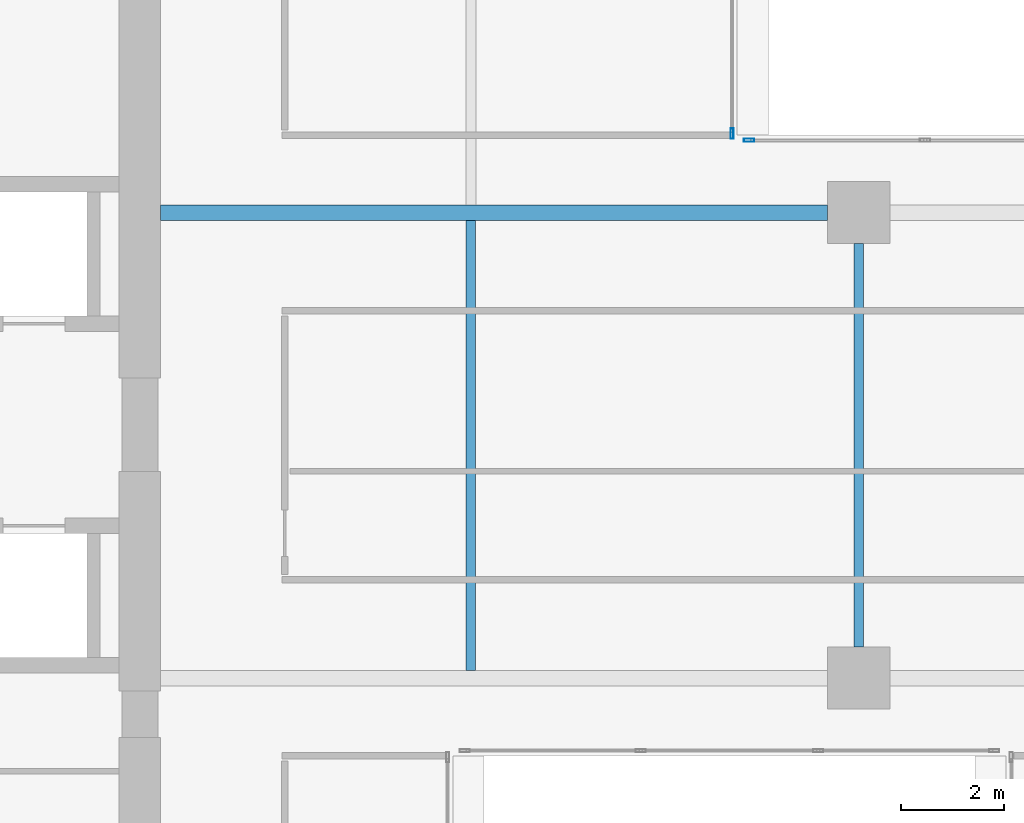
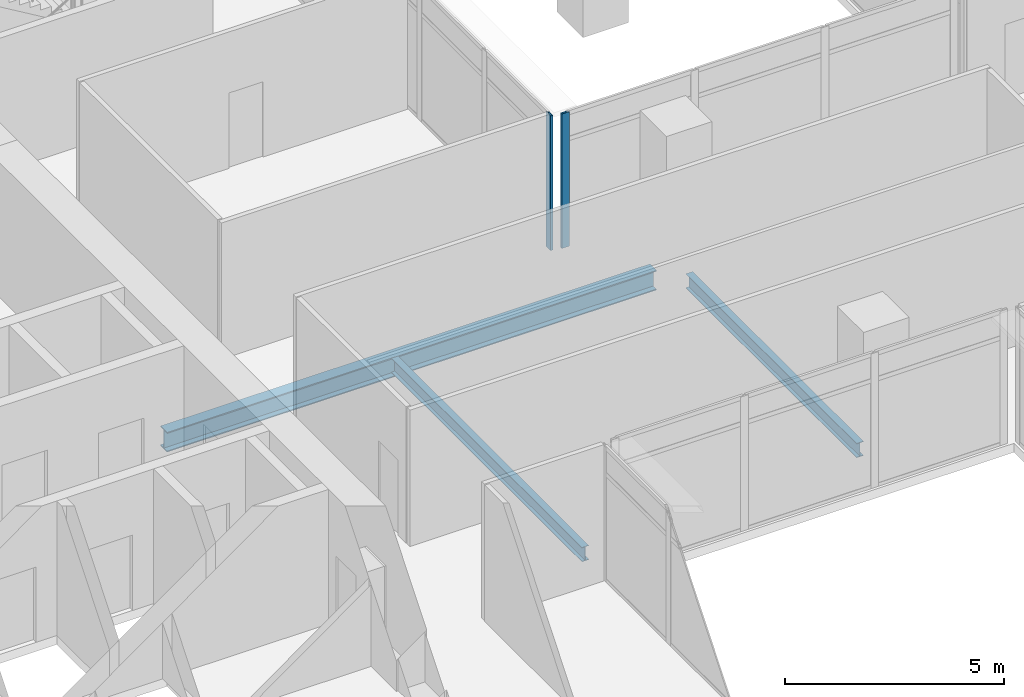
# One storey, part 8 of 38: 3 beams, 2 members, 2 elements without a shape of their own.
"""IFC4 building model written with IfcOpenShell, lengths in metres."""

from ifc_helpers import new_model, si_unit, direction, frame, origin, origin_2d, place, context, subcontext, project, spatial, hollow_rectangle, i_section, extrude, source, transform, mapped, material, material_profile, profile_set, type_object, element, aggregate, save


model = new_model("IFC4")

# Units and contexts
model_context = context("Model", 3, precision=1e-05, world=origin(), true_north=direction((0.0, 1.0)))
body_context = subcontext(model_context, "Body", "Model", "MODEL_VIEW")
ifc_project = project(units=[si_unit("LENGTHUNIT", "METRE"), si_unit("AREAUNIT", "SQUARE_METRE"), si_unit("VOLUMEUNIT", "CUBIC_METRE"), si_unit("PLANEANGLEUNIT", "RADIAN"), si_unit("MASSUNIT", "GRAM", prefix="KILO")], contexts=[model_context])

# Site, building, storey
site_placement = place(None, origin())
site = spatial("IfcSite", under=ifc_project, at=site_placement, CompositionType="ELEMENT")
building_placement = place(site_placement, origin())
building = spatial("IfcBuilding", under=site, at=building_placement, Name="Khomas Fold Tower", CompositionType="ELEMENT")
storey_placement = place(building_placement, frame((0.0, 0.0, 172.699951171875)))
storey = spatial("IfcBuildingStorey", under=building, at=storey_placement, Name="L37", CompositionType="ELEMENT", Elevation=172.699951171875)

# Beams
ifc_material_1 = material(Name="Steel S355", Category="steel")
ifc_material_profile_1 = material_profile(ifc_material_1, i_section(OverallWidth=0.179931640625, OverallDepth=0.39990234375, WebThickness=0.008544921875, FlangeThickness=0.013427734375, at=origin_2d()), Name="IPE 400")
ifc_profile_set_1 = profile_set([ifc_material_profile_1], Name="Steel S355")
beam_type_1 = type_object("IfcBeamType", Name="IPE 400 beam JB3", PredefinedType="BEAM", material=ifc_profile_set_1)
shared_shape_1 = source(origin(), body_context, "Body", "SweptSolid", [
    extrude(i_section(OverallWidth=0.179931640625, OverallDepth=0.39990234375, WebThickness=0.008544921875, FlangeThickness=0.013427734375, at=origin_2d()), origin(), (0.0, 0.0, 1.0), 8.7001953125),
])
beam_1_placement = place(storey_placement, frame((27.0, 22.64990234375, -0.449951171875), z_axis=(0.0, 1.0, 0.0), x_axis=(-1.0, 0.0, 0.0)))
element("IfcBeam", 1, at=beam_1_placement, inside=storey, type_object=beam_type_1, Name="JB3", PredefinedType="BEAM", context=body_context, shape_type="MappedRepresentation", body=[
    mapped(shared_shape_1, transform((0.0, 0.0, 0.0))),
])
ifc_material_2 = material(Name="Steel S355", Category="steel")
ifc_material_profile_2 = material_profile(ifc_material_2, i_section(OverallWidth=0.300048828125, OverallDepth=0.550048828125, WebThickness=0.014892578125, FlangeThickness=0.029052734375, at=origin_2d()), Name="HE 550 B")
ifc_profile_set_2 = profile_set([ifc_material_profile_2], Name="Steel S355")
beam_type_2 = type_object("IfcBeamType", Name="HE 550 B beam GB4", PredefinedType="BEAM", material=ifc_profile_set_2)
shared_shape_2 = source(origin(), body_context, "Body", "SweptSolid", [
    extrude(i_section(OverallWidth=0.300048828125, OverallDepth=0.550048828125, WebThickness=0.014892578125, FlangeThickness=0.029052734375, at=origin_2d()), origin(), (0.0, 0.0, 1.0), 12.89990234375),
])
beam_2_placement = place(storey_placement, frame((21.0, 31.5, -0.52490234375), z_axis=(1.0, 0.0, 0.0), x_axis=(0.0, 1.0, 0.0)))
element("IfcBeam", 2, at=beam_2_placement, inside=storey, type_object=beam_type_2, Name="GB4", PredefinedType="BEAM", context=body_context, shape_type="MappedRepresentation", body=[
    mapped(shared_shape_2, transform((0.0, 0.0, 0.0))),
])
shared_shape_3 = source(origin(), body_context, "Body", "SweptSolid", [
    extrude(i_section(OverallWidth=0.179931640625, OverallDepth=0.39990234375, WebThickness=0.008544921875, FlangeThickness=0.013427734375, at=origin_2d()), origin(), (0.0, 0.0, 1.0), 7.7998046875),
])
beam_3_placement = place(storey_placement, frame((34.5, 23.10009765625, -0.449951171875), z_axis=(0.0, 1.0, 0.0), x_axis=(-1.0, 0.0, 0.0)))
element("IfcBeam", 3, at=beam_3_placement, inside=storey, type_object=beam_type_1, Name="JB3", PredefinedType="BEAM", context=body_context, shape_type="MappedRepresentation", body=[
    mapped(shared_shape_3, transform((0.0, 0.0, 0.0))),
])

# Curtain wall, member
ifc_material_3 = material(Name="Aluminium framed double glazing", Category="aluminium")
curtain_wall_type = type_object("IfcCurtainWallType", Name="Notch glazing GN-CW", PredefinedType="NOTDEFINED", material=ifc_material_3)
curtain_wall_1_placement = place(storey_placement, origin())
curtain_wall_1 = element("IfcCurtainWall", 4, at=curtain_wall_1_placement, inside=storey, type_object=curtain_wall_type, Name="Notch glazing run", PredefinedType="NOTDEFINED")
ifc_material_4 = material(Name="Aluminium", Category="aluminium")
ifc_material_profile_3 = material_profile(ifc_material_4, hollow_rectangle(XDim=0.06005859375, YDim=0.199951171875, WallThickness=0.00390625, at=origin_2d()), Name="Notch glazing mullion GN-CW-M")
ifc_profile_set_3 = profile_set([ifc_material_profile_3], Name="Aluminium")
member_type = type_object("IfcMemberType", Name="Notch glazing mullion GN-CW-M", PredefinedType="MULLION", material=ifc_profile_set_3)
shared_shape_4 = source(origin(), body_context, "Body", "SweptSolid", [
    extrude(hollow_rectangle(XDim=0.06005859375, YDim=0.199951171875, WallThickness=0.00390625, at=origin_2d()), origin(), (0.0, 0.0, 1.0), 3.75),
])
member_1_placement = place(storey_placement, frame((32.3798828125, 32.89990234375, 0.0), z_axis=(0.0, 0.0, 1.0), x_axis=(0.0, -1.0, 0.0)))
member_1 = element("IfcMember", 5, at=member_1_placement, type_object=member_type, Name="GN-CW mullion 4", PredefinedType="MULLION", context=body_context, shape_type="MappedRepresentation", body=[
    mapped(shared_shape_4, transform((0.0, 0.0, 0.0))),
])
aggregate(curtain_wall_1, [member_1])

curtain_wall_2_placement = place(storey_placement, origin())
curtain_wall_2 = element("IfcCurtainWall", 6, at=curtain_wall_2_placement, inside=storey, type_object=curtain_wall_type, Name="Notch glazing run", PredefinedType="NOTDEFINED")
member_2_placement = place(storey_placement, frame((32.050048828125, 33.030029296875, 0.0), z_axis=(0.0, 0.0, 1.0), x_axis=(-1.0, 0.0, 0.0)))
member_2 = element("IfcMember", 7, at=member_2_placement, type_object=member_type, Name="GN-CW mullion 1", PredefinedType="MULLION", context=body_context, shape_type="MappedRepresentation", body=[
    mapped(shared_shape_4, transform((0.0, 0.0, 0.0))),
])
aggregate(curtain_wall_2, [member_2])

save(model, "model.ifc")
